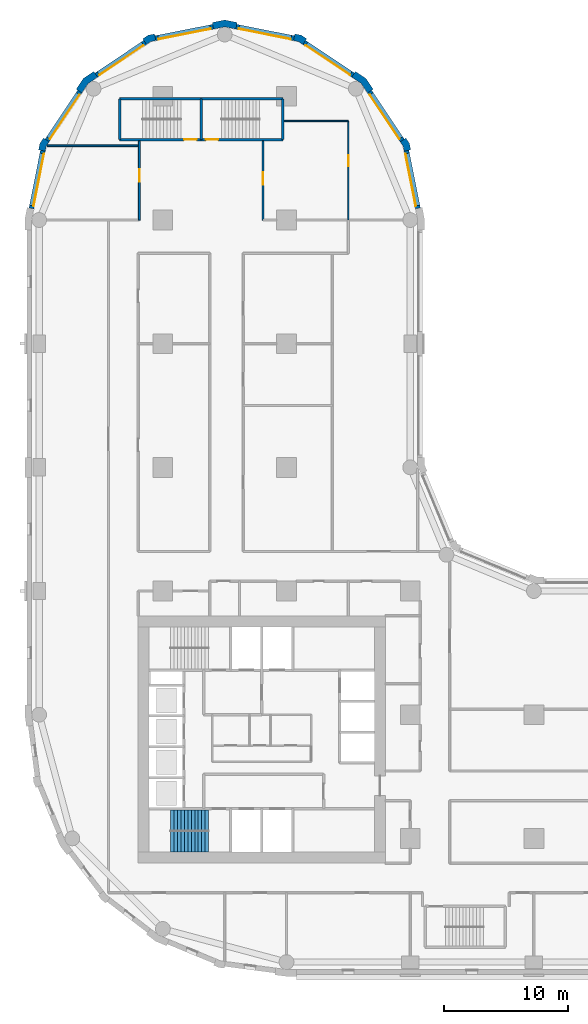
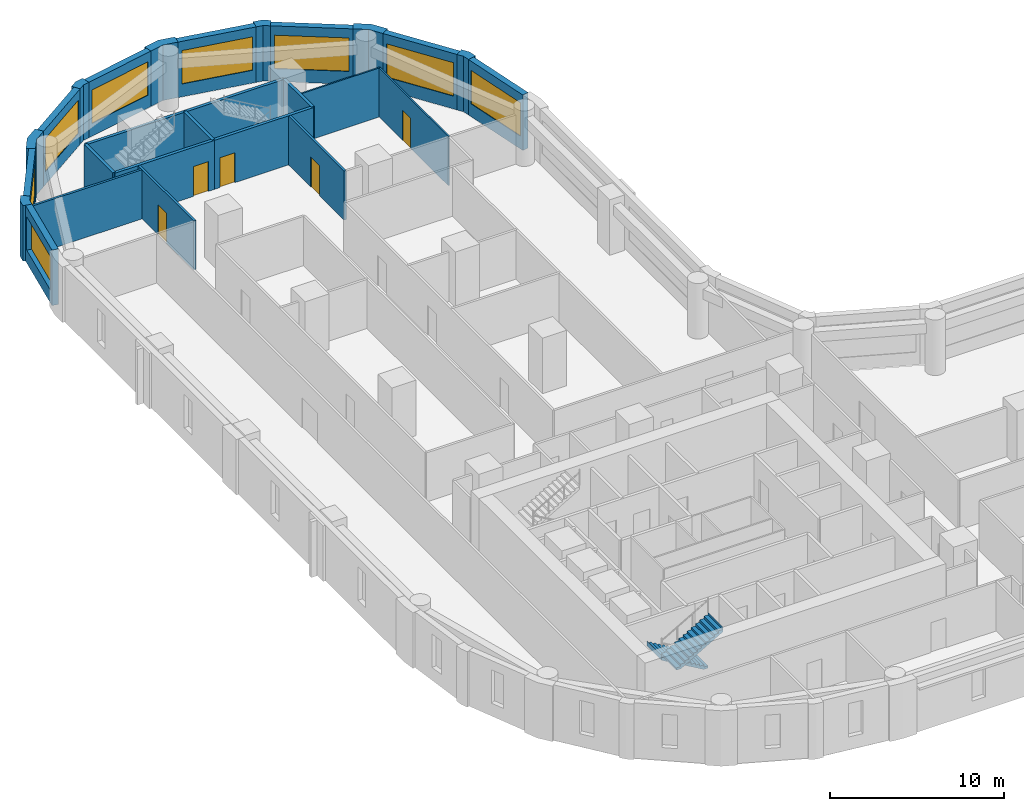
# One storey, part 7 of 10: 27 walls, 8 windows, 5 doors, 2 stair flights, 13 openings, 1 element without a shape of its own.
"""IFC4 building model written with IfcOpenShell, lengths in metres."""

from ifc_helpers import new_model, si_unit, direction, frame, frame_2d, origin, place, context, subcontext, project, spatial, polyline, rectangle, outline, extrude, material, layer, layer_set, type_object, element, fill, aggregate, save


model = new_model("IFC4")

# Units and contexts
model_context = context("Model", 3, precision=1e-05, world=origin(), true_north=direction((0.0, 1.0)))
body_context = subcontext(model_context, "Body", "Model", "MODEL_VIEW")
ifc_project = project(units=[si_unit("LENGTHUNIT", "METRE"), si_unit("AREAUNIT", "SQUARE_METRE"), si_unit("VOLUMEUNIT", "CUBIC_METRE"), si_unit("PLANEANGLEUNIT", "RADIAN"), si_unit("MASSUNIT", "GRAM", prefix="KILO")], contexts=[model_context])

# Site, building, storey
site_placement = place(None, origin())
site = spatial("IfcSite", under=ifc_project, at=site_placement, CompositionType="ELEMENT")
building_placement = place(site_placement, origin())
building = spatial("IfcBuilding", under=site, at=building_placement, Name="Qaws Garden Tower", CompositionType="ELEMENT")
storey_placement = place(building_placement, frame((0.0, 0.0, 113.39990234375)))
storey = spatial("IfcBuildingStorey", under=building, at=storey_placement, Name="L28", CompositionType="ELEMENT", Elevation=113.39990234375)

# Wall, opening, window
ifc_material_1 = material(Name="Buff clay facing brick masonry", Category="masonry")
ifc_layer_1 = layer(ifc_material_1, 0.39990234375)
ifc_layer_set_1 = layer_set([ifc_layer_1], Name="Buff clay facing brick masonry")
wall_type_1 = type_object("IfcWallType", Name="Buff brick infill wall 400", PredefinedType="SOLIDWALL", material=ifc_layer_set_1)
wall_1_placement = place(storey_placement, frame((30.628662109375, 60.940673828125, 0.0), z_axis=(0.0, 0.0, 1.0), x_axis=(-0.195098533057, 0.98078364709, 0.0)))
wall_1 = element("IfcWall", 1, at=wall_1_placement, inside=storey, type_object=wall_type_1, Name="E-L28-infill-15", PredefinedType="SOLIDWALL", context=body_context, shape_type="SweptSolid", body=[
    extrude(rectangle(XDim=4.752685546875, YDim=0.39990234375, at=frame_2d((2.37646484375, 0.0))), origin(), (0.0, 0.0, 1.0), 3.900146484375),
])
opening_1_placement = place(wall_1_placement, frame((0.226318359375, 0.0, 0.89990234375)))
opening_1 = element("IfcOpeningElement", 2, at=opening_1_placement, cuts=wall_1, Name="Opening W06", PredefinedType="OPENING", context=body_context, shape_type="SweptSolid", body=[
    extrude(rectangle(XDim=4.300048828125, YDim=2.35009765625, at=frame_2d((2.14990234375, 1.175048828125))), frame((0.0, 0.2099609375, 0.0), z_axis=(0.0, -1.0, 0.0), x_axis=(1.0, 0.0, 0.0)), (0.0, 0.0, 1.0), 0.419921875),
])
ifc_material_2 = material(Name="Aluminium framed window, clear glazing", Category="aluminium")
window_type = type_object("IfcWindowType", Name="Ribbon window 4300 x 2350", PartitioningType="DOUBLE_PANEL_VERTICAL", PredefinedType="WINDOW", material=ifc_material_2)
window_1_placement = place(opening_1_placement, origin())
window_1 = element("IfcWindow", 3, at=window_1_placement, inside=storey, type_object=window_type, Name="E-L28-window-15-0", OverallHeight=2.35009765625, OverallWidth=4.300048828125, PartitioningType="SINGLE_PANEL", PredefinedType="WINDOW", context=body_context, shape_type="SweptSolid", body=[
    extrude(rectangle(XDim=4.300048828125, YDim=2.35009765625, at=frame_2d((2.14990234375, 1.175048828125))), frame((0.0, 0.159912109375, 0.0), z_axis=(0.0, -1.0, 0.0), x_axis=(1.0, 0.0, 0.0)), (0.0, 0.0, 1.0), 0.06005859375),
])
fill(opening_1, window_1)

wall_2_placement = place(storey_placement, frame((29.356689453125, 66.43408203125, 0.0), z_axis=(0.0, 0.0, 1.0), x_axis=(-0.555541552266, 0.831488775454, 0.0)))
wall_2 = element("IfcWall", 4, at=wall_2_placement, inside=storey, type_object=wall_type_1, Name="E-L28-infill-16", PredefinedType="SOLIDWALL", context=body_context, shape_type="SweptSolid", body=[
    extrude(rectangle(XDim=4.752685546875, YDim=0.39990234375, at=frame_2d((2.37646484375, 0.0))), origin(), (0.0, 0.0, 1.0), 3.900146484375),
])
opening_2_placement = place(wall_2_placement, frame((0.226318359375, 0.0, 0.89990234375)))
opening_2 = element("IfcOpeningElement", 5, at=opening_2_placement, cuts=wall_2, Name="Opening W06", PredefinedType="OPENING", context=body_context, shape_type="SweptSolid", body=[
    extrude(rectangle(XDim=4.300048828125, YDim=2.35009765625, at=frame_2d((2.14990234375, 1.175048828125))), frame((0.0, 0.2099609375, 0.0), z_axis=(0.0, -1.0, 0.0), x_axis=(1.0, 0.0, 0.0)), (0.0, 0.0, 1.0), 0.419921875),
])
window_2_placement = place(opening_2_placement, origin())
window_2 = element("IfcWindow", 6, at=window_2_placement, inside=storey, type_object=window_type, Name="E-L28-window-16-0", OverallHeight=2.35009765625, OverallWidth=4.300048828125, PartitioningType="SINGLE_PANEL", PredefinedType="WINDOW", context=body_context, shape_type="SweptSolid", body=[
    extrude(rectangle(XDim=4.300048828125, YDim=2.35009765625, at=frame_2d((2.14990234375, 1.175048828125))), frame((0.0, 0.159912109375, 0.0), z_axis=(0.0, -1.0, 0.0), x_axis=(1.0, 0.0, 0.0)), (0.0, 0.0, 1.0), 0.06005859375),
])
fill(opening_2, window_2)

wall_3_placement = place(storey_placement, frame((25.385986328125, 71.71630859375, 0.0), z_axis=(0.0, 0.0, 1.0), x_axis=(-0.831488775454, 0.555541552266, 0.0)))
wall_3 = element("IfcWall", 7, at=wall_3_placement, inside=storey, type_object=wall_type_1, Name="E-L28-infill-17", PredefinedType="SOLIDWALL", context=body_context, shape_type="SweptSolid", body=[
    extrude(rectangle(XDim=4.752685546875, YDim=0.39990234375, at=frame_2d((2.37646484375, 0.0))), origin(), (0.0, 0.0, 1.0), 3.900146484375),
])
opening_3_placement = place(wall_3_placement, frame((0.226318359375, 0.0, 0.89990234375)))
opening_3 = element("IfcOpeningElement", 8, at=opening_3_placement, cuts=wall_3, Name="Opening W06", PredefinedType="OPENING", context=body_context, shape_type="SweptSolid", body=[
    extrude(rectangle(XDim=4.300048828125, YDim=2.35009765625, at=frame_2d((2.14990234375, 1.175048828125))), frame((0.0, 0.2099609375, 0.0), z_axis=(0.0, -1.0, 0.0), x_axis=(1.0, 0.0, 0.0)), (0.0, 0.0, 1.0), 0.419921875),
])
window_3_placement = place(opening_3_placement, origin())
window_3 = element("IfcWindow", 9, at=window_3_placement, inside=storey, type_object=window_type, Name="E-L28-window-17-0", OverallHeight=2.35009765625, OverallWidth=4.300048828125, PartitioningType="SINGLE_PANEL", PredefinedType="WINDOW", context=body_context, shape_type="SweptSolid", body=[
    extrude(rectangle(XDim=4.300048828125, YDim=2.35009765625, at=frame_2d((2.14990234375, 1.175048828125))), frame((0.0, 0.159912109375, 0.0), z_axis=(0.0, -1.0, 0.0), x_axis=(1.0, 0.0, 0.0)), (0.0, 0.0, 1.0), 0.06005859375),
])
fill(opening_3, window_3)

wall_4_placement = place(storey_placement, frame((20.60205078125, 74.701416015625, 0.0), z_axis=(0.0, 0.0, 1.0), x_axis=(-0.98078364709, 0.195098533057, 0.0)))
wall_4 = element("IfcWall", 10, at=wall_4_placement, inside=storey, type_object=wall_type_1, Name="E-L28-infill-18", PredefinedType="SOLIDWALL", context=body_context, shape_type="SweptSolid", body=[
    extrude(rectangle(XDim=4.752685546875, YDim=0.39990234375, at=frame_2d((2.37646484375, 0.0))), origin(), (0.0, 0.0, 1.0), 3.900146484375),
])
opening_4_placement = place(wall_4_placement, frame((0.226318359375, 0.0, 0.89990234375)))
opening_4 = element("IfcOpeningElement", 11, at=opening_4_placement, cuts=wall_4, Name="Opening W06", PredefinedType="OPENING", context=body_context, shape_type="SweptSolid", body=[
    extrude(rectangle(XDim=4.300048828125, YDim=2.35009765625, at=frame_2d((2.14990234375, 1.175048828125))), frame((0.0, 0.2099609375, 0.0), z_axis=(0.0, -1.0, 0.0), x_axis=(1.0, 0.0, 0.0)), (0.0, 0.0, 1.0), 0.419921875),
])
window_4_placement = place(opening_4_placement, origin())
window_4 = element("IfcWindow", 12, at=window_4_placement, inside=storey, type_object=window_type, Name="E-L28-window-18-0", OverallHeight=2.35009765625, OverallWidth=4.300048828125, PartitioningType="SINGLE_PANEL", PredefinedType="WINDOW", context=body_context, shape_type="SweptSolid", body=[
    extrude(rectangle(XDim=4.300048828125, YDim=2.35009765625, at=frame_2d((2.14990234375, 1.175048828125))), frame((0.0, 0.159912109375, 0.0), z_axis=(0.0, -1.0, 0.0), x_axis=(1.0, 0.0, 0.0)), (0.0, 0.0, 1.0), 0.06005859375),
])
fill(opening_4, window_4)

wall_5_placement = place(storey_placement, frame((14.059326171875, 75.628662109375, 0.0), z_axis=(0.0, 0.0, 1.0), x_axis=(-0.98078364709, -0.195098533057, 0.0)))
wall_5 = element("IfcWall", 13, at=wall_5_placement, inside=storey, type_object=wall_type_1, Name="E-L28-infill-19", PredefinedType="SOLIDWALL", context=body_context, shape_type="SweptSolid", body=[
    extrude(rectangle(XDim=4.752685546875, YDim=0.39990234375, at=frame_2d((2.37646484375, 0.0))), origin(), (0.0, 0.0, 1.0), 3.900146484375),
])
opening_5_placement = place(wall_5_placement, frame((0.226318359375, 0.0, 0.89990234375)))
opening_5 = element("IfcOpeningElement", 14, at=opening_5_placement, cuts=wall_5, Name="Opening W06", PredefinedType="OPENING", context=body_context, shape_type="SweptSolid", body=[
    extrude(rectangle(XDim=4.300048828125, YDim=2.35009765625, at=frame_2d((2.14990234375, 1.175048828125))), frame((0.0, 0.2099609375, 0.0), z_axis=(0.0, -1.0, 0.0), x_axis=(1.0, 0.0, 0.0)), (0.0, 0.0, 1.0), 0.419921875),
])
window_5_placement = place(opening_5_placement, origin())
window_5 = element("IfcWindow", 15, at=window_5_placement, inside=storey, type_object=window_type, Name="E-L28-window-19-0", OverallHeight=2.35009765625, OverallWidth=4.300048828125, PartitioningType="SINGLE_PANEL", PredefinedType="WINDOW", context=body_context, shape_type="SweptSolid", body=[
    extrude(rectangle(XDim=4.300048828125, YDim=2.35009765625, at=frame_2d((2.14990234375, 1.175048828125))), frame((0.0, 0.159912109375, 0.0), z_axis=(0.0, -1.0, 0.0), x_axis=(1.0, 0.0, 0.0)), (0.0, 0.0, 1.0), 0.06005859375),
])
fill(opening_5, window_5)

wall_6_placement = place(storey_placement, frame((8.56591796875, 74.356689453125, 0.0), z_axis=(0.0, 0.0, 1.0), x_axis=(-0.831488775454, -0.555541552266, 0.0)))
wall_6 = element("IfcWall", 16, at=wall_6_placement, inside=storey, type_object=wall_type_1, Name="E-L28-infill-20", PredefinedType="SOLIDWALL", context=body_context, shape_type="SweptSolid", body=[
    extrude(rectangle(XDim=4.752685546875, YDim=0.39990234375, at=frame_2d((2.37646484375, 0.0))), origin(), (0.0, 0.0, 1.0), 3.900146484375),
])
opening_6_placement = place(wall_6_placement, frame((0.226318359375, 0.0, 0.89990234375)))
opening_6 = element("IfcOpeningElement", 17, at=opening_6_placement, cuts=wall_6, Name="Opening W06", PredefinedType="OPENING", context=body_context, shape_type="SweptSolid", body=[
    extrude(rectangle(XDim=4.300048828125, YDim=2.35009765625, at=frame_2d((2.14990234375, 1.175048828125))), frame((0.0, 0.2099609375, 0.0), z_axis=(0.0, -1.0, 0.0), x_axis=(1.0, 0.0, 0.0)), (0.0, 0.0, 1.0), 0.419921875),
])
window_6_placement = place(opening_6_placement, origin())
window_6 = element("IfcWindow", 18, at=window_6_placement, inside=storey, type_object=window_type, Name="E-L28-window-20-0", OverallHeight=2.35009765625, OverallWidth=4.300048828125, PartitioningType="SINGLE_PANEL", PredefinedType="WINDOW", context=body_context, shape_type="SweptSolid", body=[
    extrude(rectangle(XDim=4.300048828125, YDim=2.35009765625, at=frame_2d((2.14990234375, 1.175048828125))), frame((0.0, 0.159912109375, 0.0), z_axis=(0.0, -1.0, 0.0), x_axis=(1.0, 0.0, 0.0)), (0.0, 0.0, 1.0), 0.06005859375),
])
fill(opening_6, window_6)

wall_7_placement = place(storey_placement, frame((3.28369140625, 70.385986328125, 0.0), z_axis=(0.0, 0.0, 1.0), x_axis=(-0.555541552266, -0.831488775454, 0.0)))
wall_7 = element("IfcWall", 19, at=wall_7_placement, inside=storey, type_object=wall_type_1, Name="E-L28-infill-21", PredefinedType="SOLIDWALL", context=body_context, shape_type="SweptSolid", body=[
    extrude(rectangle(XDim=4.752685546875, YDim=0.39990234375, at=frame_2d((2.37646484375, 0.0))), origin(), (0.0, 0.0, 1.0), 3.900146484375),
])
opening_7_placement = place(wall_7_placement, frame((0.226318359375, 0.0, 0.89990234375)))
opening_7 = element("IfcOpeningElement", 20, at=opening_7_placement, cuts=wall_7, Name="Opening W06", PredefinedType="OPENING", context=body_context, shape_type="SweptSolid", body=[
    extrude(rectangle(XDim=4.300048828125, YDim=2.35009765625, at=frame_2d((2.14990234375, 1.175048828125))), frame((0.0, 0.2099609375, 0.0), z_axis=(0.0, -1.0, 0.0), x_axis=(1.0, 0.0, 0.0)), (0.0, 0.0, 1.0), 0.419921875),
])
window_7_placement = place(opening_7_placement, origin())
window_7 = element("IfcWindow", 21, at=window_7_placement, inside=storey, type_object=window_type, Name="E-L28-window-21-0", OverallHeight=2.35009765625, OverallWidth=4.300048828125, PartitioningType="SINGLE_PANEL", PredefinedType="WINDOW", context=body_context, shape_type="SweptSolid", body=[
    extrude(rectangle(XDim=4.300048828125, YDim=2.35009765625, at=frame_2d((2.14990234375, 1.175048828125))), frame((0.0, 0.159912109375, 0.0), z_axis=(0.0, -1.0, 0.0), x_axis=(1.0, 0.0, 0.0)), (0.0, 0.0, 1.0), 0.06005859375),
])
fill(opening_7, window_7)

wall_8_placement = place(storey_placement, frame((0.298583984375, 65.60205078125, 0.0), z_axis=(0.0, 0.0, 1.0), x_axis=(-0.195098533057, -0.98078364709, 0.0)))
wall_8 = element("IfcWall", 22, at=wall_8_placement, inside=storey, type_object=wall_type_1, Name="E-L28-infill-22", PredefinedType="SOLIDWALL", context=body_context, shape_type="SweptSolid", body=[
    extrude(rectangle(XDim=4.752685546875, YDim=0.39990234375, at=frame_2d((2.37646484375, 0.0))), origin(), (0.0, 0.0, 1.0), 3.900146484375),
])
opening_8_placement = place(wall_8_placement, frame((0.226318359375, 0.0, 0.89990234375)))
opening_8 = element("IfcOpeningElement", 23, at=opening_8_placement, cuts=wall_8, Name="Opening W06", PredefinedType="OPENING", context=body_context, shape_type="SweptSolid", body=[
    extrude(rectangle(XDim=4.300048828125, YDim=2.35009765625, at=frame_2d((2.14990234375, 1.175048828125))), frame((0.0, 0.2099609375, 0.0), z_axis=(0.0, -1.0, 0.0), x_axis=(1.0, 0.0, 0.0)), (0.0, 0.0, 1.0), 0.419921875),
])
window_8_placement = place(opening_8_placement, origin())
window_8 = element("IfcWindow", 24, at=window_8_placement, inside=storey, type_object=window_type, Name="E-L28-window-22-0", OverallHeight=2.35009765625, OverallWidth=4.300048828125, PartitioningType="SINGLE_PANEL", PredefinedType="WINDOW", context=body_context, shape_type="SweptSolid", body=[
    extrude(rectangle(XDim=4.300048828125, YDim=2.35009765625, at=frame_2d((2.14990234375, 1.175048828125))), frame((0.0, 0.159912109375, 0.0), z_axis=(0.0, -1.0, 0.0), x_axis=(1.0, 0.0, 0.0)), (0.0, 0.0, 1.0), 0.06005859375),
])
fill(opening_8, window_8)

# Walls
ifc_material_3 = material(Name="Buff clay facing brick masonry", Category="masonry")
ifc_layer_2 = layer(ifc_material_3, 0.550048828125)
ifc_layer_set_2 = layer_set([ifc_layer_2], Name="Buff clay facing brick masonry")
wall_type_2 = type_object("IfcWallType", Name="Buff brick kink pier 550 x 600", PredefinedType="SOLIDWALL", material=ifc_layer_set_2)
placement = place(storey_placement, origin())
element("IfcWall", 25, at=placement, inside=storey, type_object=wall_type_2, Name="E-L28-pier-16", PredefinedType="SOLIDWALL", context=body_context, shape_type="SweptSolid", body=[
    extrude(outline(polyline([(29.8974609375, 65.64111328125), (30.044677734375, 65.67041015625), (29.94140625, 66.18896484375), (29.647705078125, 66.628662109375), (29.52294921875, 66.545166015625), (29.1904296875, 66.322998046875), (29.42333984375, 65.974365234375), (29.505126953125, 65.56298828125), (29.8974609375, 65.64111328125)])), origin(), (0.0, 0.0, 1.0), 3.900146484375),
])
element("IfcWall", 26, at=placement, inside=storey, type_object=wall_type_2, Name="E-L28-pier-18", PredefinedType="SOLIDWALL", context=body_context, shape_type="SweptSolid", body=[
    extrude(outline(polyline([(21.545166015625, 74.52294921875), (21.628662109375, 74.647705078125), (21.18896484375, 74.94140625), (20.67041015625, 75.044677734375), (20.64111328125, 74.8974609375), (20.56298828125, 74.505126953125), (20.974365234375, 74.42333984375), (21.322998046875, 74.1904296875), (21.545166015625, 74.52294921875)])), origin(), (0.0, 0.0, 1.0), 3.900146484375),
])
element("IfcWall", 27, at=placement, inside=storey, type_object=wall_type_2, Name="E-L28-pier-20", PredefinedType="SOLIDWALL", context=body_context, shape_type="SweptSolid", body=[
    extrude(outline(polyline([(9.35888671875, 74.8974609375), (9.32958984375, 75.044677734375), (8.81103515625, 74.94140625), (8.371337890625, 74.647705078125), (8.454833984375, 74.52294921875), (8.677001953125, 74.1904296875), (9.025634765625, 74.42333984375), (9.43701171875, 74.505126953125), (9.35888671875, 74.8974609375)])), origin(), (0.0, 0.0, 1.0), 3.900146484375),
])
element("IfcWall", 28, at=placement, inside=storey, type_object=wall_type_2, Name="E-L28-pier-22", PredefinedType="SOLIDWALL", context=body_context, shape_type="SweptSolid", body=[
    extrude(outline(polyline([(0.47705078125, 66.545166015625), (0.352294921875, 66.628662109375), (0.05859375, 66.18896484375), (-0.044677734375, 65.67041015625), (0.1025390625, 65.64111328125), (0.494873046875, 65.56298828125), (0.57666015625, 65.974365234375), (0.8095703125, 66.322998046875), (0.47705078125, 66.545166015625)])), origin(), (0.0, 0.0, 1.0), 3.900146484375),
])
ifc_material_4 = material(Name="Buff clay facing brick masonry", Category="masonry")
ifc_layer_3 = layer(ifc_material_4, 0.550048828125)
ifc_layer_set_3 = layer_set([ifc_layer_3], Name="Buff clay facing brick masonry")
wall_type_3 = type_object("IfcWallType", Name="Buff brick pier 550 x 1600", PredefinedType="SOLIDWALL", material=ifc_layer_set_3)
element("IfcWall", 29, at=placement, inside=storey, type_object=wall_type_3, Name="E-L28-pier-17", PredefinedType="SOLIDWALL", context=body_context, shape_type="SweptSolid", body=[
    extrude(outline(polyline([(26.882568359375, 70.4970703125), (27.00732421875, 70.580322265625), (26.435791015625, 71.435791015625), (25.580322265625, 72.00732421875), (25.4970703125, 71.882568359375), (25.274658203125, 71.550048828125), (26.0390625, 71.0390625), (26.550048828125, 70.274658203125), (26.882568359375, 70.4970703125)])), origin(), (0.0, 0.0, 1.0), 3.900146484375),
])
element("IfcWall", 30, at=placement, inside=storey, type_object=wall_type_3, Name="E-L28-pier-19", PredefinedType="SOLIDWALL", context=body_context, shape_type="SweptSolid", body=[
    extrude(outline(polyline([(15.979736328125, 75.82470703125), (16.009033203125, 75.971923828125), (15.0, 76.172607421875), (13.990966796875, 75.971923828125), (14.020263671875, 75.82470703125), (14.098388671875, 75.432373046875), (15.0, 75.61181640625), (15.901611328125, 75.432373046875), (15.979736328125, 75.82470703125)])), origin(), (0.0, 0.0, 1.0), 3.900146484375),
])
element("IfcWall", 31, at=placement, inside=storey, type_object=wall_type_3, Name="E-L28-pier-21", PredefinedType="SOLIDWALL", context=body_context, shape_type="SweptSolid", body=[
    extrude(outline(polyline([(4.5029296875, 71.882568359375), (4.419677734375, 72.00732421875), (3.564208984375, 71.435791015625), (2.99267578125, 70.580322265625), (3.117431640625, 70.4970703125), (3.449951171875, 70.274658203125), (3.9609375, 71.0390625), (4.725341796875, 71.550048828125), (4.5029296875, 71.882568359375)])), origin(), (0.0, 0.0, 1.0), 3.900146484375),
])

# Wall, opening, door
ifc_material_5 = material(Name="Concrete C80", Category="concrete")
ifc_layer_4 = layer(ifc_material_5, 0.199951171875)
ifc_layer_set_4 = layer_set([ifc_layer_4], Name="Concrete C80")
wall_type_4 = type_object("IfcWallType", Name="Core shaft wall 200 C80", PredefinedType="SHEAR", material=ifc_layer_set_4)
wall_16_placement = place(storey_placement, frame((6.5, 66.5, 0.0), z_axis=(0.0, 0.0, 1.0), x_axis=(1.0, 0.0, 0.0)))
wall_16 = element("IfcWall", 32, at=wall_16_placement, inside=storey, type_object=wall_type_4, Name="Shaft wall", PredefinedType="SHEAR", context=body_context, shape_type="SweptSolid", body=[
    extrude(rectangle(XDim=6.60009765625, YDim=0.199951171875, at=frame_2d((3.300048828125, 0.0))), origin(), (0.0, 0.0, 1.0), 3.4501953125),
])
opening_9_placement = place(wall_16_placement, frame((5.22509765625, 0.0, 0.0)))
opening_9 = element("IfcOpeningElement", 33, at=opening_9_placement, cuts=wall_16, Name="Opening SD13", PredefinedType="OPENING", context=body_context, shape_type="SweptSolid", body=[
    extrude(rectangle(XDim=1.0, YDim=2.10009765625, at=frame_2d((0.5, 1.050048828125))), frame((0.0, 0.10986328125, 0.0), z_axis=(0.0, -1.0, 0.0), x_axis=(1.0, 0.0, 0.0)), (0.0, 0.0, 1.0), 0.219970703125),
])
ifc_material_6 = material(Name="Steel S235", Category="steel")
door_type_1 = type_object("IfcDoorType", Name="Stair door 1000x2100", OperationType="SINGLE_SWING_RIGHT", PredefinedType="DOOR", material=ifc_material_6)
door_1_placement = place(opening_9_placement, origin())
door_1 = element("IfcDoor", 34, at=door_1_placement, inside=storey, type_object=door_type_1, Name="Stair 6 door", OperationType="SINGLE_SWING_RIGHT", OverallHeight=2.10009765625, OverallWidth=1.0, PredefinedType="DOOR", context=body_context, shape_type="SweptSolid", body=[
    extrude(rectangle(XDim=1.0, YDim=2.10009765625, at=frame_2d((0.5, 1.050048828125))), frame((0.0, 0.02490234375, 0.0), z_axis=(0.0, -1.0, 0.0), x_axis=(1.0, 0.0, 0.0)), (0.0, 0.0, 1.0), 0.050048828125),
])
fill(opening_9, door_1)

wall_17_placement = place(storey_placement, frame((13.10009765625, 66.5, 0.0), z_axis=(0.0, 0.0, 1.0), x_axis=(1.0, 0.0, 0.0)))
wall_17 = element("IfcWall", 35, at=wall_17_placement, inside=storey, type_object=wall_type_4, Name="Shaft wall", PredefinedType="SHEAR", context=body_context, shape_type="SweptSolid", body=[
    extrude(rectangle(XDim=6.599853515625, YDim=0.199951171875, at=frame_2d((3.2998046875, 0.0))), origin(), (0.0, 0.0, 1.0), 3.4501953125),
])
opening_10_placement = place(wall_17_placement, frame((0.375, 0.0, 0.0)))
opening_10 = element("IfcOpeningElement", 36, at=opening_10_placement, cuts=wall_17, Name="Opening SD14", PredefinedType="OPENING", context=body_context, shape_type="SweptSolid", body=[
    extrude(rectangle(XDim=1.0, YDim=2.10009765625, at=frame_2d((0.5, 1.050048828125))), frame((0.0, 0.10986328125, 0.0), z_axis=(0.0, -1.0, 0.0), x_axis=(1.0, 0.0, 0.0)), (0.0, 0.0, 1.0), 0.219970703125),
])
door_2_placement = place(opening_10_placement, origin())
door_2 = element("IfcDoor", 37, at=door_2_placement, inside=storey, type_object=door_type_1, Name="Stair 7 door", OperationType="SINGLE_SWING_LEFT", OverallHeight=2.10009765625, OverallWidth=1.0, PredefinedType="DOOR", context=body_context, shape_type="SweptSolid", body=[
    extrude(rectangle(XDim=1.0, YDim=2.10009765625, at=frame_2d((0.5, 1.050048828125))), frame((0.0, 0.02490234375, 0.0), z_axis=(0.0, -1.0, 0.0), x_axis=(1.0, 0.0, 0.0)), (0.0, 0.0, 1.0), 0.050048828125),
])
fill(opening_10, door_2)

# Walls
wall_18_placement = place(storey_placement, frame((6.5, 69.800048828125, 0.0), z_axis=(0.0, 0.0, 1.0), x_axis=(1.0, 0.0, 0.0)))
element("IfcWall", 38, at=wall_18_placement, inside=storey, type_object=wall_type_4, Name="Shaft wall", PredefinedType="SHEAR", context=body_context, shape_type="SweptSolid", body=[
    extrude(rectangle(XDim=6.60009765625, YDim=0.199951171875, at=frame_2d((3.300048828125, 0.0))), origin(), (0.0, 0.0, 1.0), 3.4501953125),
])
wall_19_placement = place(storey_placement, frame((13.10009765625, 69.800048828125, 0.0), z_axis=(0.0, 0.0, 1.0), x_axis=(1.0, 0.0, 0.0)))
element("IfcWall", 39, at=wall_19_placement, inside=storey, type_object=wall_type_4, Name="Shaft wall", PredefinedType="SHEAR", context=body_context, shape_type="SweptSolid", body=[
    extrude(rectangle(XDim=6.599853515625, YDim=0.199951171875, at=frame_2d((3.2998046875, 0.0))), origin(), (0.0, 0.0, 1.0), 3.4501953125),
])
for number, where, z_axis, x_axis, name in (
    (40, (6.5, 66.5, 0.0), (0.0, 0.0, 1.0), (0.0, 1.0, 0.0), "Shaft wall"),
    (41, (13.10009765625, 66.5, 0.0), (0.0, 0.0, 1.0), (0.0, 1.0, 0.0), "Shaft wall"),
    (42, (19.699951171875, 66.5, 0.0), (0.0, 0.0, 1.0), (0.0, 1.0, 0.0), "Shaft wall"),
):
    element("IfcWall", number, at=place(storey_placement, frame(where, z_axis=z_axis, x_axis=x_axis)), inside=storey, type_object=wall_type_4, Name=name, PredefinedType="SHEAR", context=body_context, shape_type="SweptSolid", body=[
        extrude(rectangle(XDim=3.300048828125, YDim=0.199951171875, at=frame_2d((1.64990234375, 0.0))), origin(), (0.0, 0.0, 1.0), 3.4501953125),
    ])

# Wall, opening, door
ifc_material_7 = material(Name="Gypsum board partition")
ifc_layer_5 = layer(ifc_material_7, 0.10009765625)
ifc_layer_set_5 = layer_set([ifc_layer_5], Name="Gypsum board partition")
wall_type_5 = type_object("IfcWallType", Name="PARTITION 100", PredefinedType="PARTITIONING", material=ifc_layer_set_5)
wall_20_placement = place(storey_placement, frame((25.0, 60.0, 0.0), z_axis=(0.0, 0.0, 1.0), x_axis=(0.0, 1.0, 0.0)))
wall_20 = element("IfcWall", 43, at=wall_20_placement, inside=storey, type_object=wall_type_5, Name="O-L28-wall-001", PredefinedType="PARTITIONING", context=body_context, shape_type="SweptSolid", body=[
    extrude(rectangle(XDim=8.0, YDim=0.10009765625, at=frame_2d((4.0, 0.0))), origin(), (0.0, 0.0, 1.0), 3.4501953125),
])
opening_11_placement = place(wall_20_placement, frame((4.35009765625, 0.0, 0.0)))
opening_11 = element("IfcOpeningElement", 44, at=opening_11_placement, cuts=wall_20, Name="Opening A928", PredefinedType="OPENING", context=body_context, shape_type="SweptSolid", body=[
    extrude(rectangle(XDim=0.89990234375, YDim=2.10009765625, at=frame_2d((0.449951171875, 1.050048828125))), frame((0.0, 0.06005859375, 0.0), z_axis=(0.0, -1.0, 0.0), x_axis=(1.0, 0.0, 0.0)), (0.0, 0.0, 1.0), 0.1201171875),
])
ifc_material_8 = material(Name="Timber door leaf", Category="wood")
door_type_2 = type_object("IfcDoorType", Name="OFFICE DOOR 900 X 2100", OperationType="SINGLE_SWING_LEFT", PredefinedType="DOOR", material=ifc_material_8)
door_3_placement = place(opening_11_placement, origin())
door_3 = element("IfcDoor", 45, at=door_3_placement, inside=storey, type_object=door_type_2, Name="O-L28-door-028", OperationType="SINGLE_SWING_LEFT", OverallHeight=2.10009765625, OverallWidth=0.89990234375, PredefinedType="DOOR", context=body_context, shape_type="SweptSolid", body=[
    extrude(rectangle(XDim=0.89990234375, YDim=2.10009765625, at=frame_2d((0.449951171875, 1.050048828125))), frame((0.0, 0.02490234375, 0.0), z_axis=(0.0, -1.0, 0.0), x_axis=(1.0, 0.0, 0.0)), (0.0, 0.0, 1.0), 0.050048828125),
])
fill(opening_11, door_3)

# Wall
wall_21_placement = place(storey_placement, frame((19.800048828125, 68.0, 0.0), z_axis=(0.0, 0.0, 1.0), x_axis=(1.0, 0.0, 0.0)))
element("IfcWall", 46, at=wall_21_placement, inside=storey, type_object=wall_type_5, Name="O-L28-wall-004", PredefinedType="PARTITIONING", context=body_context, shape_type="SweptSolid", body=[
    extrude(rectangle(XDim=5.199951171875, YDim=0.10009765625, at=frame_2d((2.60009765625, 0.0))), origin(), (0.0, 0.0, 1.0), 3.4501953125),
])

# Wall, opening, door
ifc_material_9 = material(Name="Gypsum board partition")
ifc_layer_6 = layer(ifc_material_9, 0.14990234375)
ifc_layer_set_6 = layer_set([ifc_layer_6], Name="Gypsum board partition")
wall_type_6 = type_object("IfcWallType", Name="PARTITION 150 EI 60", PredefinedType="PARTITIONING", material=ifc_layer_set_6)
wall_22_placement = place(storey_placement, frame((8.10009765625, 60.0, 0.0), z_axis=(0.0, 0.0, 1.0), x_axis=(0.0, 1.0, 0.0)))
wall_22 = element("IfcWall", 47, at=wall_22_placement, inside=storey, type_object=wall_type_6, Name="O-L28-wall-008", PredefinedType="PARTITIONING", context=body_context, shape_type="SweptSolid", body=[
    extrude(rectangle(XDim=6.39990234375, YDim=0.14990234375, at=frame_2d((3.199951171875, 0.0))), origin(), (0.0, 0.0, 1.0), 3.4501953125),
])
opening_12_placement = place(wall_22_placement, frame((3.10009765625, 0.0, 0.0)))
opening_12 = element("IfcOpeningElement", 48, at=opening_12_placement, cuts=wall_22, Name="Opening A917", PredefinedType="OPENING", context=body_context, shape_type="SweptSolid", body=[
    extrude(rectangle(XDim=1.0, YDim=2.10009765625, at=frame_2d((0.5, 1.050048828125))), frame((0.0, 0.0849609375, 0.0), z_axis=(0.0, -1.0, 0.0), x_axis=(1.0, 0.0, 0.0)), (0.0, 0.0, 1.0), 0.169921875),
])
ifc_material_10 = material(Name="Timber door leaf", Category="wood")
door_type_3 = type_object("IfcDoorType", Name="TENANCY ENTRANCE DOOR 1000 X 2100", OperationType="SINGLE_SWING_LEFT", PredefinedType="DOOR", material=ifc_material_10)
door_4_placement = place(opening_12_placement, origin())
door_4 = element("IfcDoor", 49, at=door_4_placement, inside=storey, type_object=door_type_3, Name="O-L28-door-017", OperationType="SINGLE_SWING_LEFT", OverallHeight=2.10009765625, OverallWidth=1.0, PredefinedType="DOOR", context=body_context, shape_type="SweptSolid", body=[
    extrude(rectangle(XDim=1.0, YDim=2.10009765625, at=frame_2d((0.5, 1.050048828125))), frame((0.0, 0.02490234375, 0.0), z_axis=(0.0, -1.0, 0.0), x_axis=(1.0, 0.0, 0.0)), (0.0, 0.0, 1.0), 0.050048828125),
])
fill(opening_12, door_4)

wall_23_placement = place(storey_placement, frame((18.10009765625, 60.0, 0.0), z_axis=(0.0, 0.0, 1.0), x_axis=(0.0, 1.0, 0.0)))
wall_23 = element("IfcWall", 50, at=wall_23_placement, inside=storey, type_object=wall_type_6, Name="O-L28-wall-014", PredefinedType="PARTITIONING", context=body_context, shape_type="SweptSolid", body=[
    extrude(rectangle(XDim=6.39990234375, YDim=0.14990234375, at=frame_2d((3.199951171875, 0.0))), origin(), (0.0, 0.0, 1.0), 3.4501953125),
])
opening_13_placement = place(wall_23_placement, frame((2.85009765625, 0.0, 0.0)))
opening_13 = element("IfcOpeningElement", 51, at=opening_13_placement, cuts=wall_23, Name="Opening A918", PredefinedType="OPENING", context=body_context, shape_type="SweptSolid", body=[
    extrude(rectangle(XDim=1.0, YDim=2.10009765625, at=frame_2d((0.5, 1.050048828125))), frame((0.0, 0.0849609375, 0.0), z_axis=(0.0, -1.0, 0.0), x_axis=(1.0, 0.0, 0.0)), (0.0, 0.0, 1.0), 0.169921875),
])
door_5_placement = place(opening_13_placement, frame((1.0, 0.0, 0.0), z_axis=(0.0, 0.0, 1.0), x_axis=(-1.0, 0.0, 0.0)))
door_5 = element("IfcDoor", 52, at=door_5_placement, inside=storey, type_object=door_type_3, Name="O-L28-door-018", OperationType="SINGLE_SWING_RIGHT", OverallHeight=2.10009765625, OverallWidth=1.0, PredefinedType="DOOR", context=body_context, shape_type="SweptSolid", body=[
    extrude(rectangle(XDim=1.0, YDim=2.10009765625, at=frame_2d((0.5, 1.050048828125))), frame((0.0, 0.02490234375, 0.0), z_axis=(0.0, -1.0, 0.0), x_axis=(1.0, 0.0, 0.0)), (0.0, 0.0, 1.0), 0.050048828125),
])
fill(opening_13, door_5)

# Wall
wall_24_placement = place(storey_placement, frame((0.643798828125, 66.0, 0.0), z_axis=(0.0, 0.0, 1.0), x_axis=(1.0, 0.0, 0.0)))
element("IfcWall", 53, at=wall_24_placement, inside=storey, type_object=wall_type_6, Name="O-L28-wall-065", PredefinedType="PARTITIONING", context=body_context, shape_type="SweptSolid", body=[
    extrude(rectangle(XDim=7.456298828125, YDim=0.14990234375, at=frame_2d((3.72802734375, 0.0))), origin(), (0.0, 0.0, 1.0), 3.4501953125),
])

# Stair, stair flights
ifc_material_11 = material(Name="Concrete C40", Category="concrete")
stair_type = type_object("IfcStairType", Name="Exit stair 1500", PredefinedType="HALF_TURN_STAIR", material=ifc_material_11)
stair = element("IfcStair", 54, at=placement, inside=storey, type_object=stair_type, Name="Stair 1", PredefinedType="HALF_TURN_STAIR")
ifc_material_12 = material(Name="Concrete C40", Category="concrete")
stair_flight_type = type_object("IfcStairFlightType", Name="Stair flight 1500", PredefinedType="STRAIGHT", material=ifc_material_12)
stair_flight_1_placement = place(storey_placement, frame((13.699951171875, 11.449951171875, 0.0), z_axis=(0.0, 0.0, 1.0), x_axis=(-1.0, 0.0, 0.0)))
stair_flight_1 = element("IfcStairFlight", 55, at=stair_flight_1_placement, type_object=stair_flight_type, Name="ST1 flight 1", NumberOfRisers=12, NumberOfTreads=11, PredefinedType="STRAIGHT", RiserHeight=0.1625, TreadLength=0.28, context=body_context, shape_type="SweptSolid", body=[
    extrude(outline(polyline([(-0.0029296875, 0.0), (-0.0029296875, 0.16259765625), (0.0, 0.16259765625), (0.280029296875, 0.16259765625), (0.280029296875, 0.324951171875), (0.56005859375, 0.324951171875), (0.56005859375, 0.487548828125), (0.840087890625, 0.487548828125), (0.840087890625, 0.64990234375), (1.1201171875, 0.64990234375), (1.1201171875, 0.8125), (1.39990234375, 0.8125), (1.39990234375, 0.97509765625), (1.679931640625, 0.97509765625), (1.679931640625, 1.137451171875), (1.9599609375, 1.137451171875), (1.9599609375, 1.300048828125), (2.239990234375, 1.300048828125), (2.239990234375, 1.46240234375), (2.52001953125, 1.46240234375), (2.52001953125, 1.625), (2.800048828125, 1.625), (2.800048828125, 1.78759765625), (3.080078125, 1.78759765625), (3.080078125, 1.949951171875), (3.0830078125, 1.949951171875), (3.0830078125, 1.6142578125), (3.080078125, 1.6142578125), (0.298583984375, 0.0), (-0.0029296875, 0.0)])), frame((0.0, 0.85009765625, 0.0), z_axis=(0.0, -1.0, 0.0), x_axis=(1.0, 0.0, 0.0)), (0.0, 0.0, 1.0), 1.699951171875),
])
stair_flight_2_placement = place(storey_placement, frame((10.6201171875, 9.75, 1.9501953125), z_axis=(0.0, 0.0, 1.0), x_axis=(1.0, 0.0, 0.0)))
stair_flight_2 = element("IfcStairFlight", 56, at=stair_flight_2_placement, type_object=stair_flight_type, Name="ST1 flight 2", NumberOfRisers=12, NumberOfTreads=11, PredefinedType="STRAIGHT", RiserHeight=0.1625, TreadLength=0.28, context=body_context, shape_type="SweptSolid", body=[
    extrude(outline(polyline([(-0.0029296875, 0.0), (-0.0029296875, 0.16259765625), (0.0, 0.16259765625), (0.280029296875, 0.16259765625), (0.280029296875, 0.324951171875), (0.56005859375, 0.324951171875), (0.56005859375, 0.487548828125), (0.840087890625, 0.487548828125), (0.840087890625, 0.64990234375), (1.1201171875, 0.64990234375), (1.1201171875, 0.8125), (1.39990234375, 0.8125), (1.39990234375, 0.97509765625), (1.679931640625, 0.97509765625), (1.679931640625, 1.137451171875), (1.9599609375, 1.137451171875), (1.9599609375, 1.300048828125), (2.239990234375, 1.300048828125), (2.239990234375, 1.46240234375), (2.52001953125, 1.46240234375), (2.52001953125, 1.625), (2.800048828125, 1.625), (2.800048828125, 1.78759765625), (3.080078125, 1.78759765625), (3.080078125, 1.949951171875), (3.0830078125, 1.949951171875), (3.0830078125, 1.6142578125), (3.080078125, 1.6142578125), (0.298583984375, 0.0), (-0.0029296875, 0.0)])), frame((0.0, 0.85009765625, 0.0), z_axis=(0.0, -1.0, 0.0), x_axis=(1.0, 0.0, 0.0)), (0.0, 0.0, 1.0), 1.699951171875),
])
aggregate(stair, [stair_flight_1, stair_flight_2])

save(model, "model.ifc")
